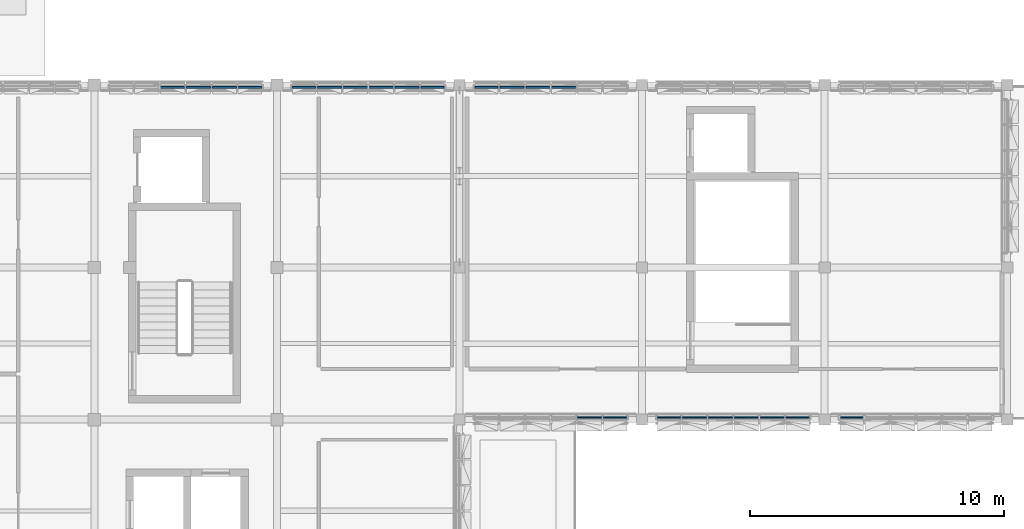
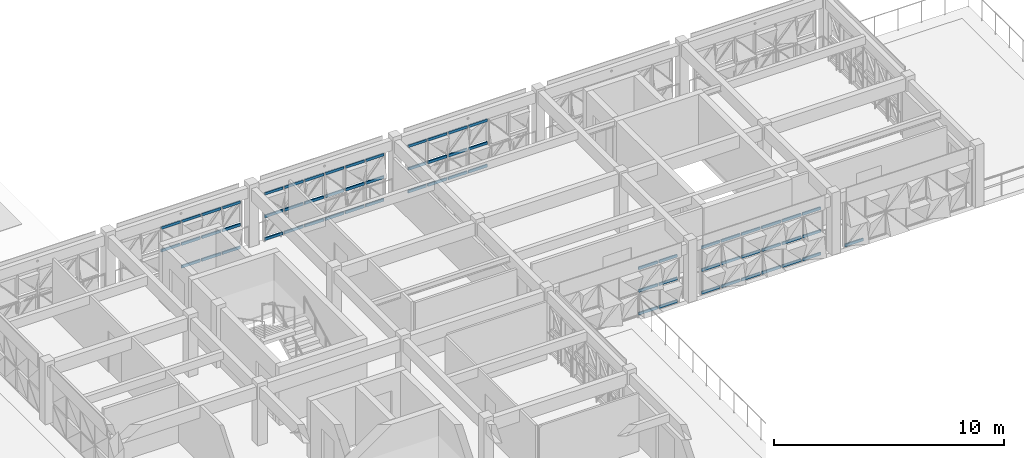
# One storey, part 10 of 35: 66 members, 6 elements without a shape of their own.
"""IFC4 building model written with IfcOpenShell, lengths in metres."""

from ifc_helpers import new_model, si_unit, direction, frame, origin, origin_2d, place, context, subcontext, project, spatial, rectangle, extrude, material, material_profile, profile_set, type_object, element, aggregate, save


model = new_model("IFC4")

# Units and contexts
model_context = context("Model", 3, precision=1e-05, world=origin(), true_north=direction((0.0, 1.0)))
body_context = subcontext(model_context, "Body", "Model", "MODEL_VIEW")
ifc_project = project(units=[si_unit("LENGTHUNIT", "METRE"), si_unit("AREAUNIT", "SQUARE_METRE"), si_unit("VOLUMEUNIT", "CUBIC_METRE"), si_unit("PLANEANGLEUNIT", "RADIAN"), si_unit("MASSUNIT", "GRAM", prefix="KILO")], contexts=[model_context])

# Site, building, storey
site_placement = place(None, origin())
site = spatial("IfcSite", under=ifc_project, at=site_placement, CompositionType="ELEMENT")
building_placement = place(site_placement, origin())
building = spatial("IfcBuilding", under=site, at=building_placement, Name="Alvorim Cloister Faculty of Sciences", CompositionType="ELEMENT")
storey_placement = place(building_placement, frame((0.0, 0.0, 22.949951171875)))
storey = spatial("IfcBuildingStorey", under=building, at=storey_placement, Name="L06", CompositionType="ELEMENT", Elevation=22.949951171875)

# Curtain wall, members
ifc_material_1 = material(Name="Aluminium and Low-E Glass Curtain Wall", Category="aluminium")
curtain_wall_type = type_object("IfcCurtainWallType", Name="CW-TRI-6120x2550", PredefinedType="USERDEFINED", material=ifc_material_1)
curtain_wall_1_placement = place(storey_placement, origin())
curtain_wall_1 = element("IfcCurtainWall", 1, at=curtain_wall_1_placement, inside=storey, type_object=curtain_wall_type, Name="L06 Diagonal Cassette Curtain Wall CW-0246", ObjectType="UNITISED CURTAIN WALL", PredefinedType="USERDEFINED")
ifc_material_2 = material(Name="Aluminium Alloy 6063-T6", Category="aluminium")
ifc_material_profile = material_profile(ifc_material_2, rectangle(XDim=0.06494140625, YDim=0.139892578125, at=origin_2d()), Name="ALU-TRN-65x140")
ifc_profile_set = profile_set([ifc_material_profile], Name="Aluminium Alloy 6063-T6")
member_type = type_object("IfcMemberType", Name="CW-TRN-65x140", PredefinedType="USERDEFINED", material=ifc_profile_set)
member_1_placement = place(storey_placement, frame((17.012451171875, 56.31005859375, 1.275146484375), z_axis=(1.0, 0.0, 0.0), x_axis=(0.0, 1.0, 0.0)))
member_1 = element("IfcMember", 2, at=member_1_placement, type_object=member_type, Name="CW-0246 Transom 3.2", ObjectType="TRANSOM", PredefinedType="USERDEFINED", context=body_context, shape_type="SweptSolid", body=[
    extrude(rectangle(XDim=0.06494140625, YDim=0.139892578125, at=origin_2d()), origin(), (0.0, 0.0, 1.0), 0.955078125),
])
member_2_placement = place(storey_placement, frame((17.012451171875, 56.31005859375, 2.47998046875), z_axis=(1.0, 0.0, 0.0), x_axis=(0.0, 1.0, 0.0)))
member_2 = element("IfcMember", 3, at=member_2_placement, type_object=member_type, Name="CW-0246 Transom 3.3", ObjectType="TRANSOM", PredefinedType="USERDEFINED", context=body_context, shape_type="SweptSolid", body=[
    extrude(rectangle(XDim=0.06494140625, YDim=0.139892578125, at=origin_2d()), origin(), (0.0, 0.0, 1.0), 0.955078125),
])
member_3_placement = place(storey_placement, frame((18.032470703125, 56.31005859375, 0.070068359375), z_axis=(1.0, 0.0, 0.0), x_axis=(0.0, 1.0, 0.0)))
member_3 = element("IfcMember", 4, at=member_3_placement, type_object=member_type, Name="CW-0246 Transom 4.1", ObjectType="TRANSOM", PredefinedType="USERDEFINED", context=body_context, shape_type="SweptSolid", body=[
    extrude(rectangle(XDim=0.06494140625, YDim=0.139892578125, at=origin_2d()), origin(), (0.0, 0.0, 1.0), 0.955078125),
])
member_4_placement = place(storey_placement, frame((18.032470703125, 56.31005859375, 1.275146484375), z_axis=(1.0, 0.0, 0.0), x_axis=(0.0, 1.0, 0.0)))
member_4 = element("IfcMember", 5, at=member_4_placement, type_object=member_type, Name="CW-0246 Transom 4.2", ObjectType="TRANSOM", PredefinedType="USERDEFINED", context=body_context, shape_type="SweptSolid", body=[
    extrude(rectangle(XDim=0.06494140625, YDim=0.139892578125, at=origin_2d()), origin(), (0.0, 0.0, 1.0), 0.955078125),
])
member_5_placement = place(storey_placement, frame((18.032470703125, 56.31005859375, 2.47998046875), z_axis=(1.0, 0.0, 0.0), x_axis=(0.0, 1.0, 0.0)))
member_5 = element("IfcMember", 6, at=member_5_placement, type_object=member_type, Name="CW-0246 Transom 4.3", ObjectType="TRANSOM", PredefinedType="USERDEFINED", context=body_context, shape_type="SweptSolid", body=[
    extrude(rectangle(XDim=0.06494140625, YDim=0.139892578125, at=origin_2d()), origin(), (0.0, 0.0, 1.0), 0.955078125),
])
member_6_placement = place(storey_placement, frame((19.052490234375, 56.31005859375, 0.070068359375), z_axis=(1.0, 0.0, 0.0), x_axis=(0.0, 1.0, 0.0)))
member_6 = element("IfcMember", 7, at=member_6_placement, type_object=member_type, Name="CW-0246 Transom 5.1", ObjectType="TRANSOM", PredefinedType="USERDEFINED", context=body_context, shape_type="SweptSolid", body=[
    extrude(rectangle(XDim=0.06494140625, YDim=0.139892578125, at=origin_2d()), origin(), (0.0, 0.0, 1.0), 0.955078125),
])
member_7_placement = place(storey_placement, frame((19.052490234375, 56.31005859375, 1.275146484375), z_axis=(1.0, 0.0, 0.0), x_axis=(0.0, 1.0, 0.0)))
member_7 = element("IfcMember", 8, at=member_7_placement, type_object=member_type, Name="CW-0246 Transom 5.2", ObjectType="TRANSOM", PredefinedType="USERDEFINED", context=body_context, shape_type="SweptSolid", body=[
    extrude(rectangle(XDim=0.06494140625, YDim=0.139892578125, at=origin_2d()), origin(), (0.0, 0.0, 1.0), 0.955078125),
])
member_8_placement = place(storey_placement, frame((19.052490234375, 56.31005859375, 2.47998046875), z_axis=(1.0, 0.0, 0.0), x_axis=(0.0, 1.0, 0.0)))
member_8 = element("IfcMember", 9, at=member_8_placement, type_object=member_type, Name="CW-0246 Transom 5.3", ObjectType="TRANSOM", PredefinedType="USERDEFINED", context=body_context, shape_type="SweptSolid", body=[
    extrude(rectangle(XDim=0.06494140625, YDim=0.139892578125, at=origin_2d()), origin(), (0.0, 0.0, 1.0), 0.955078125),
])
member_9_placement = place(storey_placement, frame((20.072509765625, 56.31005859375, 0.070068359375), z_axis=(1.0, 0.0, 0.0), x_axis=(0.0, 1.0, 0.0)))
member_9 = element("IfcMember", 10, at=member_9_placement, type_object=member_type, Name="CW-0246 Transom 6.1", ObjectType="TRANSOM", PredefinedType="USERDEFINED", context=body_context, shape_type="SweptSolid", body=[
    extrude(rectangle(XDim=0.06494140625, YDim=0.139892578125, at=origin_2d()), origin(), (0.0, 0.0, 1.0), 0.922607421875),
])
member_10_placement = place(storey_placement, frame((20.072509765625, 56.31005859375, 1.275146484375), z_axis=(1.0, 0.0, 0.0), x_axis=(0.0, 1.0, 0.0)))
member_10 = element("IfcMember", 11, at=member_10_placement, type_object=member_type, Name="CW-0246 Transom 6.2", ObjectType="TRANSOM", PredefinedType="USERDEFINED", context=body_context, shape_type="SweptSolid", body=[
    extrude(rectangle(XDim=0.06494140625, YDim=0.139892578125, at=origin_2d()), origin(), (0.0, 0.0, 1.0), 0.922607421875),
])
member_11_placement = place(storey_placement, frame((20.072509765625, 56.31005859375, 2.47998046875), z_axis=(1.0, 0.0, 0.0), x_axis=(0.0, 1.0, 0.0)))
member_11 = element("IfcMember", 12, at=member_11_placement, type_object=member_type, Name="CW-0246 Transom 6.3", ObjectType="TRANSOM", PredefinedType="USERDEFINED", context=body_context, shape_type="SweptSolid", body=[
    extrude(rectangle(XDim=0.06494140625, YDim=0.139892578125, at=origin_2d()), origin(), (0.0, 0.0, 1.0), 0.922607421875),
])
aggregate(curtain_wall_1, [member_1, member_2, member_3, member_4, member_5, member_6, member_7, member_8, member_9, member_10, member_11])

curtain_wall_2_placement = place(storey_placement, origin())
curtain_wall_2 = element("IfcCurtainWall", 13, at=curtain_wall_2_placement, inside=storey, type_object=curtain_wall_type, Name="L06 Diagonal Cassette Curtain Wall CW-0247", ObjectType="UNITISED CURTAIN WALL", PredefinedType="USERDEFINED")
member_12_placement = place(storey_placement, frame((22.205078125, 56.31005859375, 0.070068359375), z_axis=(1.0, 0.0, 0.0), x_axis=(0.0, 1.0, 0.0)))
member_12 = element("IfcMember", 14, at=member_12_placement, type_object=member_type, Name="CW-0247 Transom 1.1", ObjectType="TRANSOM", PredefinedType="USERDEFINED", context=body_context, shape_type="SweptSolid", body=[
    extrude(rectangle(XDim=0.06494140625, YDim=0.139892578125, at=origin_2d()), origin(), (0.0, 0.0, 1.0), 0.92236328125),
])
member_13_placement = place(storey_placement, frame((22.205078125, 56.31005859375, 1.275146484375), z_axis=(1.0, 0.0, 0.0), x_axis=(0.0, 1.0, 0.0)))
member_13 = element("IfcMember", 15, at=member_13_placement, type_object=member_type, Name="CW-0247 Transom 1.2", ObjectType="TRANSOM", PredefinedType="USERDEFINED", context=body_context, shape_type="SweptSolid", body=[
    extrude(rectangle(XDim=0.06494140625, YDim=0.139892578125, at=origin_2d()), origin(), (0.0, 0.0, 1.0), 0.92236328125),
])
member_14_placement = place(storey_placement, frame((22.205078125, 56.31005859375, 2.47998046875), z_axis=(1.0, 0.0, 0.0), x_axis=(0.0, 1.0, 0.0)))
member_14 = element("IfcMember", 16, at=member_14_placement, type_object=member_type, Name="CW-0247 Transom 1.3", ObjectType="TRANSOM", PredefinedType="USERDEFINED", context=body_context, shape_type="SweptSolid", body=[
    extrude(rectangle(XDim=0.06494140625, YDim=0.139892578125, at=origin_2d()), origin(), (0.0, 0.0, 1.0), 0.92236328125),
])
member_15_placement = place(storey_placement, frame((23.1923828125, 56.31005859375, 0.070068359375), z_axis=(1.0, 0.0, 0.0), x_axis=(0.0, 1.0, 0.0)))
member_15 = element("IfcMember", 17, at=member_15_placement, type_object=member_type, Name="CW-0247 Transom 2.1", ObjectType="TRANSOM", PredefinedType="USERDEFINED", context=body_context, shape_type="SweptSolid", body=[
    extrude(rectangle(XDim=0.06494140625, YDim=0.139892578125, at=origin_2d()), origin(), (0.0, 0.0, 1.0), 0.955078125),
])
member_16_placement = place(storey_placement, frame((23.1923828125, 56.31005859375, 1.275146484375), z_axis=(1.0, 0.0, 0.0), x_axis=(0.0, 1.0, 0.0)))
member_16 = element("IfcMember", 18, at=member_16_placement, type_object=member_type, Name="CW-0247 Transom 2.2", ObjectType="TRANSOM", PredefinedType="USERDEFINED", context=body_context, shape_type="SweptSolid", body=[
    extrude(rectangle(XDim=0.06494140625, YDim=0.139892578125, at=origin_2d()), origin(), (0.0, 0.0, 1.0), 0.955078125),
])
member_17_placement = place(storey_placement, frame((23.1923828125, 56.31005859375, 2.47998046875), z_axis=(1.0, 0.0, 0.0), x_axis=(0.0, 1.0, 0.0)))
member_17 = element("IfcMember", 19, at=member_17_placement, type_object=member_type, Name="CW-0247 Transom 2.3", ObjectType="TRANSOM", PredefinedType="USERDEFINED", context=body_context, shape_type="SweptSolid", body=[
    extrude(rectangle(XDim=0.06494140625, YDim=0.139892578125, at=origin_2d()), origin(), (0.0, 0.0, 1.0), 0.955078125),
])
member_18_placement = place(storey_placement, frame((24.21240234375, 56.31005859375, 0.070068359375), z_axis=(1.0, 0.0, 0.0), x_axis=(0.0, 1.0, 0.0)))
member_18 = element("IfcMember", 20, at=member_18_placement, type_object=member_type, Name="CW-0247 Transom 3.1", ObjectType="TRANSOM", PredefinedType="USERDEFINED", context=body_context, shape_type="SweptSolid", body=[
    extrude(rectangle(XDim=0.06494140625, YDim=0.139892578125, at=origin_2d()), origin(), (0.0, 0.0, 1.0), 0.955078125),
])
member_19_placement = place(storey_placement, frame((24.21240234375, 56.31005859375, 1.275146484375), z_axis=(1.0, 0.0, 0.0), x_axis=(0.0, 1.0, 0.0)))
member_19 = element("IfcMember", 21, at=member_19_placement, type_object=member_type, Name="CW-0247 Transom 3.2", ObjectType="TRANSOM", PredefinedType="USERDEFINED", context=body_context, shape_type="SweptSolid", body=[
    extrude(rectangle(XDim=0.06494140625, YDim=0.139892578125, at=origin_2d()), origin(), (0.0, 0.0, 1.0), 0.955078125),
])
member_20_placement = place(storey_placement, frame((24.21240234375, 56.31005859375, 2.47998046875), z_axis=(1.0, 0.0, 0.0), x_axis=(0.0, 1.0, 0.0)))
member_20 = element("IfcMember", 22, at=member_20_placement, type_object=member_type, Name="CW-0247 Transom 3.3", ObjectType="TRANSOM", PredefinedType="USERDEFINED", context=body_context, shape_type="SweptSolid", body=[
    extrude(rectangle(XDim=0.06494140625, YDim=0.139892578125, at=origin_2d()), origin(), (0.0, 0.0, 1.0), 0.955078125),
])
member_21_placement = place(storey_placement, frame((25.232421875, 56.31005859375, 0.070068359375), z_axis=(1.0, 0.0, 0.0), x_axis=(0.0, 1.0, 0.0)))
member_21 = element("IfcMember", 23, at=member_21_placement, type_object=member_type, Name="CW-0247 Transom 4.1", ObjectType="TRANSOM", PredefinedType="USERDEFINED", context=body_context, shape_type="SweptSolid", body=[
    extrude(rectangle(XDim=0.06494140625, YDim=0.139892578125, at=origin_2d()), origin(), (0.0, 0.0, 1.0), 0.955078125),
])
member_22_placement = place(storey_placement, frame((25.232421875, 56.31005859375, 1.275146484375), z_axis=(1.0, 0.0, 0.0), x_axis=(0.0, 1.0, 0.0)))
member_22 = element("IfcMember", 24, at=member_22_placement, type_object=member_type, Name="CW-0247 Transom 4.2", ObjectType="TRANSOM", PredefinedType="USERDEFINED", context=body_context, shape_type="SweptSolid", body=[
    extrude(rectangle(XDim=0.06494140625, YDim=0.139892578125, at=origin_2d()), origin(), (0.0, 0.0, 1.0), 0.955078125),
])
member_23_placement = place(storey_placement, frame((25.232421875, 56.31005859375, 2.47998046875), z_axis=(1.0, 0.0, 0.0), x_axis=(0.0, 1.0, 0.0)))
member_23 = element("IfcMember", 25, at=member_23_placement, type_object=member_type, Name="CW-0247 Transom 4.3", ObjectType="TRANSOM", PredefinedType="USERDEFINED", context=body_context, shape_type="SweptSolid", body=[
    extrude(rectangle(XDim=0.06494140625, YDim=0.139892578125, at=origin_2d()), origin(), (0.0, 0.0, 1.0), 0.955078125),
])
member_24_placement = place(storey_placement, frame((26.25244140625, 56.31005859375, 0.070068359375), z_axis=(1.0, 0.0, 0.0), x_axis=(0.0, 1.0, 0.0)))
member_24 = element("IfcMember", 26, at=member_24_placement, type_object=member_type, Name="CW-0247 Transom 5.1", ObjectType="TRANSOM", PredefinedType="USERDEFINED", context=body_context, shape_type="SweptSolid", body=[
    extrude(rectangle(XDim=0.06494140625, YDim=0.139892578125, at=origin_2d()), origin(), (0.0, 0.0, 1.0), 0.955078125),
])
member_25_placement = place(storey_placement, frame((26.25244140625, 56.31005859375, 1.275146484375), z_axis=(1.0, 0.0, 0.0), x_axis=(0.0, 1.0, 0.0)))
member_25 = element("IfcMember", 27, at=member_25_placement, type_object=member_type, Name="CW-0247 Transom 5.2", ObjectType="TRANSOM", PredefinedType="USERDEFINED", context=body_context, shape_type="SweptSolid", body=[
    extrude(rectangle(XDim=0.06494140625, YDim=0.139892578125, at=origin_2d()), origin(), (0.0, 0.0, 1.0), 0.955078125),
])
member_26_placement = place(storey_placement, frame((26.25244140625, 56.31005859375, 2.47998046875), z_axis=(1.0, 0.0, 0.0), x_axis=(0.0, 1.0, 0.0)))
member_26 = element("IfcMember", 28, at=member_26_placement, type_object=member_type, Name="CW-0247 Transom 5.3", ObjectType="TRANSOM", PredefinedType="USERDEFINED", context=body_context, shape_type="SweptSolid", body=[
    extrude(rectangle(XDim=0.06494140625, YDim=0.139892578125, at=origin_2d()), origin(), (0.0, 0.0, 1.0), 0.955078125),
])
member_27_placement = place(storey_placement, frame((27.2724609375, 56.31005859375, 0.070068359375), z_axis=(1.0, 0.0, 0.0), x_axis=(0.0, 1.0, 0.0)))
member_27 = element("IfcMember", 29, at=member_27_placement, type_object=member_type, Name="CW-0247 Transom 6.1", ObjectType="TRANSOM", PredefinedType="USERDEFINED", context=body_context, shape_type="SweptSolid", body=[
    extrude(rectangle(XDim=0.06494140625, YDim=0.139892578125, at=origin_2d()), origin(), (0.0, 0.0, 1.0), 0.922607421875),
])
member_28_placement = place(storey_placement, frame((27.2724609375, 56.31005859375, 1.275146484375), z_axis=(1.0, 0.0, 0.0), x_axis=(0.0, 1.0, 0.0)))
member_28 = element("IfcMember", 30, at=member_28_placement, type_object=member_type, Name="CW-0247 Transom 6.2", ObjectType="TRANSOM", PredefinedType="USERDEFINED", context=body_context, shape_type="SweptSolid", body=[
    extrude(rectangle(XDim=0.06494140625, YDim=0.139892578125, at=origin_2d()), origin(), (0.0, 0.0, 1.0), 0.922607421875),
])
member_29_placement = place(storey_placement, frame((27.2724609375, 56.31005859375, 2.47998046875), z_axis=(1.0, 0.0, 0.0), x_axis=(0.0, 1.0, 0.0)))
member_29 = element("IfcMember", 31, at=member_29_placement, type_object=member_type, Name="CW-0247 Transom 6.3", ObjectType="TRANSOM", PredefinedType="USERDEFINED", context=body_context, shape_type="SweptSolid", body=[
    extrude(rectangle(XDim=0.06494140625, YDim=0.139892578125, at=origin_2d()), origin(), (0.0, 0.0, 1.0), 0.922607421875),
])
aggregate(curtain_wall_2, [member_12, member_13, member_14, member_15, member_16, member_17, member_18, member_19, member_20, member_21, member_22, member_23, member_24, member_25, member_26, member_27, member_28, member_29])

curtain_wall_3_placement = place(storey_placement, origin())
curtain_wall_3 = element("IfcCurtainWall", 32, at=curtain_wall_3_placement, inside=storey, type_object=curtain_wall_type, Name="L06 Diagonal Cassette Curtain Wall CW-0248", ObjectType="UNITISED CURTAIN WALL", PredefinedType="USERDEFINED")
member_30_placement = place(storey_placement, frame((29.405029296875, 56.31005859375, 0.070068359375), z_axis=(1.0, 0.0, 0.0), x_axis=(0.0, 1.0, 0.0)))
member_30 = element("IfcMember", 33, at=member_30_placement, type_object=member_type, Name="CW-0248 Transom 1.1", ObjectType="TRANSOM", PredefinedType="USERDEFINED", context=body_context, shape_type="SweptSolid", body=[
    extrude(rectangle(XDim=0.06494140625, YDim=0.139892578125, at=origin_2d()), origin(), (0.0, 0.0, 1.0), 0.92236328125),
])
member_31_placement = place(storey_placement, frame((29.405029296875, 56.31005859375, 1.275146484375), z_axis=(1.0, 0.0, 0.0), x_axis=(0.0, 1.0, 0.0)))
member_31 = element("IfcMember", 34, at=member_31_placement, type_object=member_type, Name="CW-0248 Transom 1.2", ObjectType="TRANSOM", PredefinedType="USERDEFINED", context=body_context, shape_type="SweptSolid", body=[
    extrude(rectangle(XDim=0.06494140625, YDim=0.139892578125, at=origin_2d()), origin(), (0.0, 0.0, 1.0), 0.92236328125),
])
member_32_placement = place(storey_placement, frame((29.405029296875, 56.31005859375, 2.47998046875), z_axis=(1.0, 0.0, 0.0), x_axis=(0.0, 1.0, 0.0)))
member_32 = element("IfcMember", 35, at=member_32_placement, type_object=member_type, Name="CW-0248 Transom 1.3", ObjectType="TRANSOM", PredefinedType="USERDEFINED", context=body_context, shape_type="SweptSolid", body=[
    extrude(rectangle(XDim=0.06494140625, YDim=0.139892578125, at=origin_2d()), origin(), (0.0, 0.0, 1.0), 0.92236328125),
])
member_33_placement = place(storey_placement, frame((30.392578125, 56.31005859375, 0.070068359375), z_axis=(1.0, 0.0, 0.0), x_axis=(0.0, 1.0, 0.0)))
member_33 = element("IfcMember", 36, at=member_33_placement, type_object=member_type, Name="CW-0248 Transom 2.1", ObjectType="TRANSOM", PredefinedType="USERDEFINED", context=body_context, shape_type="SweptSolid", body=[
    extrude(rectangle(XDim=0.06494140625, YDim=0.139892578125, at=origin_2d()), origin(), (0.0, 0.0, 1.0), 0.954833984375),
])
member_34_placement = place(storey_placement, frame((30.392578125, 56.31005859375, 1.275146484375), z_axis=(1.0, 0.0, 0.0), x_axis=(0.0, 1.0, 0.0)))
member_34 = element("IfcMember", 37, at=member_34_placement, type_object=member_type, Name="CW-0248 Transom 2.2", ObjectType="TRANSOM", PredefinedType="USERDEFINED", context=body_context, shape_type="SweptSolid", body=[
    extrude(rectangle(XDim=0.06494140625, YDim=0.139892578125, at=origin_2d()), origin(), (0.0, 0.0, 1.0), 0.954833984375),
])
member_35_placement = place(storey_placement, frame((30.392578125, 56.31005859375, 2.47998046875), z_axis=(1.0, 0.0, 0.0), x_axis=(0.0, 1.0, 0.0)))
member_35 = element("IfcMember", 38, at=member_35_placement, type_object=member_type, Name="CW-0248 Transom 2.3", ObjectType="TRANSOM", PredefinedType="USERDEFINED", context=body_context, shape_type="SweptSolid", body=[
    extrude(rectangle(XDim=0.06494140625, YDim=0.139892578125, at=origin_2d()), origin(), (0.0, 0.0, 1.0), 0.954833984375),
])
member_36_placement = place(storey_placement, frame((31.41259765625, 56.31005859375, 0.070068359375), z_axis=(1.0, 0.0, 0.0), x_axis=(0.0, 1.0, 0.0)))
member_36 = element("IfcMember", 39, at=member_36_placement, type_object=member_type, Name="CW-0248 Transom 3.1", ObjectType="TRANSOM", PredefinedType="USERDEFINED", context=body_context, shape_type="SweptSolid", body=[
    extrude(rectangle(XDim=0.06494140625, YDim=0.139892578125, at=origin_2d()), origin(), (0.0, 0.0, 1.0), 0.954833984375),
])
member_37_placement = place(storey_placement, frame((31.41259765625, 56.31005859375, 1.275146484375), z_axis=(1.0, 0.0, 0.0), x_axis=(0.0, 1.0, 0.0)))
member_37 = element("IfcMember", 40, at=member_37_placement, type_object=member_type, Name="CW-0248 Transom 3.2", ObjectType="TRANSOM", PredefinedType="USERDEFINED", context=body_context, shape_type="SweptSolid", body=[
    extrude(rectangle(XDim=0.06494140625, YDim=0.139892578125, at=origin_2d()), origin(), (0.0, 0.0, 1.0), 0.954833984375),
])
member_38_placement = place(storey_placement, frame((31.41259765625, 56.31005859375, 2.47998046875), z_axis=(1.0, 0.0, 0.0), x_axis=(0.0, 1.0, 0.0)))
member_38 = element("IfcMember", 41, at=member_38_placement, type_object=member_type, Name="CW-0248 Transom 3.3", ObjectType="TRANSOM", PredefinedType="USERDEFINED", context=body_context, shape_type="SweptSolid", body=[
    extrude(rectangle(XDim=0.06494140625, YDim=0.139892578125, at=origin_2d()), origin(), (0.0, 0.0, 1.0), 0.954833984375),
])
member_39_placement = place(storey_placement, frame((32.4326171875, 56.31005859375, 0.070068359375), z_axis=(1.0, 0.0, 0.0), x_axis=(0.0, 1.0, 0.0)))
member_39 = element("IfcMember", 42, at=member_39_placement, type_object=member_type, Name="CW-0248 Transom 4.1", ObjectType="TRANSOM", PredefinedType="USERDEFINED", context=body_context, shape_type="SweptSolid", body=[
    extrude(rectangle(XDim=0.06494140625, YDim=0.139892578125, at=origin_2d()), origin(), (0.0, 0.0, 1.0), 0.954833984375),
])
member_40_placement = place(storey_placement, frame((32.4326171875, 56.31005859375, 1.275146484375), z_axis=(1.0, 0.0, 0.0), x_axis=(0.0, 1.0, 0.0)))
member_40 = element("IfcMember", 43, at=member_40_placement, type_object=member_type, Name="CW-0248 Transom 4.2", ObjectType="TRANSOM", PredefinedType="USERDEFINED", context=body_context, shape_type="SweptSolid", body=[
    extrude(rectangle(XDim=0.06494140625, YDim=0.139892578125, at=origin_2d()), origin(), (0.0, 0.0, 1.0), 0.954833984375),
])
member_41_placement = place(storey_placement, frame((32.4326171875, 56.31005859375, 2.47998046875), z_axis=(1.0, 0.0, 0.0), x_axis=(0.0, 1.0, 0.0)))
member_41 = element("IfcMember", 44, at=member_41_placement, type_object=member_type, Name="CW-0248 Transom 4.3", ObjectType="TRANSOM", PredefinedType="USERDEFINED", context=body_context, shape_type="SweptSolid", body=[
    extrude(rectangle(XDim=0.06494140625, YDim=0.139892578125, at=origin_2d()), origin(), (0.0, 0.0, 1.0), 0.954833984375),
])
aggregate(curtain_wall_3, [member_30, member_31, member_32, member_33, member_34, member_35, member_36, member_37, member_38, member_39, member_40, member_41])

# Curtain wall, member
curtain_wall_4_placement = place(storey_placement, origin())
curtain_wall_4 = element("IfcCurtainWall", 45, at=curtain_wall_4_placement, inside=storey, type_object=curtain_wall_type, Name="L06 Diagonal Cassette Curtain Wall CW-0252", ObjectType="UNITISED CURTAIN WALL", PredefinedType="USERDEFINED")
member_42_placement = place(storey_placement, frame((43.804931640625, 43.2900390625, 0.070068359375), z_axis=(1.0, 0.0, 0.0), x_axis=(0.0, 1.0, 0.0)))
member_42 = element("IfcMember", 46, at=member_42_placement, type_object=member_type, Name="CW-0252 Transom 1.1", ObjectType="TRANSOM", PredefinedType="USERDEFINED", context=body_context, shape_type="SweptSolid", body=[
    extrude(rectangle(XDim=0.06494140625, YDim=0.139892578125, at=origin_2d()), origin(), (0.0, 0.0, 1.0), 0.922607421875),
])
aggregate(curtain_wall_4, [member_42])

# Curtain wall, members
curtain_wall_5_placement = place(storey_placement, origin())
curtain_wall_5 = element("IfcCurtainWall", 47, at=curtain_wall_5_placement, inside=storey, type_object=curtain_wall_type, Name="L06 Diagonal Cassette Curtain Wall CW-0253", ObjectType="UNITISED CURTAIN WALL", PredefinedType="USERDEFINED")
member_43_placement = place(storey_placement, frame((36.60498046875, 43.2900390625, 0.070068359375), z_axis=(1.0, 0.0, 0.0), x_axis=(0.0, 1.0, 0.0)))
member_43 = element("IfcMember", 48, at=member_43_placement, type_object=member_type, Name="CW-0253 Transom 1.1", ObjectType="TRANSOM", PredefinedType="USERDEFINED", context=body_context, shape_type="SweptSolid", body=[
    extrude(rectangle(XDim=0.06494140625, YDim=0.139892578125, at=origin_2d()), origin(), (0.0, 0.0, 1.0), 0.922607421875),
])
member_44_placement = place(storey_placement, frame((36.60498046875, 43.2900390625, 1.275146484375), z_axis=(1.0, 0.0, 0.0), x_axis=(0.0, 1.0, 0.0)))
member_44 = element("IfcMember", 49, at=member_44_placement, type_object=member_type, Name="CW-0253 Transom 1.2", ObjectType="TRANSOM", PredefinedType="USERDEFINED", context=body_context, shape_type="SweptSolid", body=[
    extrude(rectangle(XDim=0.06494140625, YDim=0.139892578125, at=origin_2d()), origin(), (0.0, 0.0, 1.0), 0.922607421875),
])
member_45_placement = place(storey_placement, frame((36.60498046875, 43.2900390625, 2.47998046875), z_axis=(1.0, 0.0, 0.0), x_axis=(0.0, 1.0, 0.0)))
member_45 = element("IfcMember", 50, at=member_45_placement, type_object=member_type, Name="CW-0253 Transom 1.3", ObjectType="TRANSOM", PredefinedType="USERDEFINED", context=body_context, shape_type="SweptSolid", body=[
    extrude(rectangle(XDim=0.06494140625, YDim=0.139892578125, at=origin_2d()), origin(), (0.0, 0.0, 1.0), 0.922607421875),
])
member_46_placement = place(storey_placement, frame((37.592529296875, 43.2900390625, 0.070068359375), z_axis=(1.0, 0.0, 0.0), x_axis=(0.0, 1.0, 0.0)))
member_46 = element("IfcMember", 51, at=member_46_placement, type_object=member_type, Name="CW-0253 Transom 2.1", ObjectType="TRANSOM", PredefinedType="USERDEFINED", context=body_context, shape_type="SweptSolid", body=[
    extrude(rectangle(XDim=0.06494140625, YDim=0.139892578125, at=origin_2d()), origin(), (0.0, 0.0, 1.0), 0.955078125),
])
member_47_placement = place(storey_placement, frame((37.592529296875, 43.2900390625, 1.275146484375), z_axis=(1.0, 0.0, 0.0), x_axis=(0.0, 1.0, 0.0)))
member_47 = element("IfcMember", 52, at=member_47_placement, type_object=member_type, Name="CW-0253 Transom 2.2", ObjectType="TRANSOM", PredefinedType="USERDEFINED", context=body_context, shape_type="SweptSolid", body=[
    extrude(rectangle(XDim=0.06494140625, YDim=0.139892578125, at=origin_2d()), origin(), (0.0, 0.0, 1.0), 0.955078125),
])
member_48_placement = place(storey_placement, frame((37.592529296875, 43.2900390625, 2.47998046875), z_axis=(1.0, 0.0, 0.0), x_axis=(0.0, 1.0, 0.0)))
member_48 = element("IfcMember", 53, at=member_48_placement, type_object=member_type, Name="CW-0253 Transom 2.3", ObjectType="TRANSOM", PredefinedType="USERDEFINED", context=body_context, shape_type="SweptSolid", body=[
    extrude(rectangle(XDim=0.06494140625, YDim=0.139892578125, at=origin_2d()), origin(), (0.0, 0.0, 1.0), 0.955078125),
])
member_49_placement = place(storey_placement, frame((38.612548828125, 43.2900390625, 0.070068359375), z_axis=(1.0, 0.0, 0.0), x_axis=(0.0, 1.0, 0.0)))
member_49 = element("IfcMember", 54, at=member_49_placement, type_object=member_type, Name="CW-0253 Transom 3.1", ObjectType="TRANSOM", PredefinedType="USERDEFINED", context=body_context, shape_type="SweptSolid", body=[
    extrude(rectangle(XDim=0.06494140625, YDim=0.139892578125, at=origin_2d()), origin(), (0.0, 0.0, 1.0), 0.954833984375),
])
member_50_placement = place(storey_placement, frame((38.612548828125, 43.2900390625, 1.275146484375), z_axis=(1.0, 0.0, 0.0), x_axis=(0.0, 1.0, 0.0)))
member_50 = element("IfcMember", 55, at=member_50_placement, type_object=member_type, Name="CW-0253 Transom 3.2", ObjectType="TRANSOM", PredefinedType="USERDEFINED", context=body_context, shape_type="SweptSolid", body=[
    extrude(rectangle(XDim=0.06494140625, YDim=0.139892578125, at=origin_2d()), origin(), (0.0, 0.0, 1.0), 0.954833984375),
])
member_51_placement = place(storey_placement, frame((38.612548828125, 43.2900390625, 2.47998046875), z_axis=(1.0, 0.0, 0.0), x_axis=(0.0, 1.0, 0.0)))
member_51 = element("IfcMember", 56, at=member_51_placement, type_object=member_type, Name="CW-0253 Transom 3.3", ObjectType="TRANSOM", PredefinedType="USERDEFINED", context=body_context, shape_type="SweptSolid", body=[
    extrude(rectangle(XDim=0.06494140625, YDim=0.139892578125, at=origin_2d()), origin(), (0.0, 0.0, 1.0), 0.954833984375),
])
member_52_placement = place(storey_placement, frame((39.632568359375, 43.2900390625, 0.070068359375), z_axis=(1.0, 0.0, 0.0), x_axis=(0.0, 1.0, 0.0)))
member_52 = element("IfcMember", 57, at=member_52_placement, type_object=member_type, Name="CW-0253 Transom 4.1", ObjectType="TRANSOM", PredefinedType="USERDEFINED", context=body_context, shape_type="SweptSolid", body=[
    extrude(rectangle(XDim=0.06494140625, YDim=0.139892578125, at=origin_2d()), origin(), (0.0, 0.0, 1.0), 0.954833984375),
])
member_53_placement = place(storey_placement, frame((39.632568359375, 43.2900390625, 1.275146484375), z_axis=(1.0, 0.0, 0.0), x_axis=(0.0, 1.0, 0.0)))
member_53 = element("IfcMember", 58, at=member_53_placement, type_object=member_type, Name="CW-0253 Transom 4.2", ObjectType="TRANSOM", PredefinedType="USERDEFINED", context=body_context, shape_type="SweptSolid", body=[
    extrude(rectangle(XDim=0.06494140625, YDim=0.139892578125, at=origin_2d()), origin(), (0.0, 0.0, 1.0), 0.954833984375),
])
member_54_placement = place(storey_placement, frame((39.632568359375, 43.2900390625, 2.47998046875), z_axis=(1.0, 0.0, 0.0), x_axis=(0.0, 1.0, 0.0)))
member_54 = element("IfcMember", 59, at=member_54_placement, type_object=member_type, Name="CW-0253 Transom 4.3", ObjectType="TRANSOM", PredefinedType="USERDEFINED", context=body_context, shape_type="SweptSolid", body=[
    extrude(rectangle(XDim=0.06494140625, YDim=0.139892578125, at=origin_2d()), origin(), (0.0, 0.0, 1.0), 0.954833984375),
])
member_55_placement = place(storey_placement, frame((40.652587890625, 43.2900390625, 0.070068359375), z_axis=(1.0, 0.0, 0.0), x_axis=(0.0, 1.0, 0.0)))
member_55 = element("IfcMember", 60, at=member_55_placement, type_object=member_type, Name="CW-0253 Transom 5.1", ObjectType="TRANSOM", PredefinedType="USERDEFINED", context=body_context, shape_type="SweptSolid", body=[
    extrude(rectangle(XDim=0.06494140625, YDim=0.139892578125, at=origin_2d()), origin(), (0.0, 0.0, 1.0), 0.954833984375),
])
member_56_placement = place(storey_placement, frame((40.652587890625, 43.2900390625, 1.275146484375), z_axis=(1.0, 0.0, 0.0), x_axis=(0.0, 1.0, 0.0)))
member_56 = element("IfcMember", 61, at=member_56_placement, type_object=member_type, Name="CW-0253 Transom 5.2", ObjectType="TRANSOM", PredefinedType="USERDEFINED", context=body_context, shape_type="SweptSolid", body=[
    extrude(rectangle(XDim=0.06494140625, YDim=0.139892578125, at=origin_2d()), origin(), (0.0, 0.0, 1.0), 0.954833984375),
])
member_57_placement = place(storey_placement, frame((40.652587890625, 43.2900390625, 2.47998046875), z_axis=(1.0, 0.0, 0.0), x_axis=(0.0, 1.0, 0.0)))
member_57 = element("IfcMember", 62, at=member_57_placement, type_object=member_type, Name="CW-0253 Transom 5.3", ObjectType="TRANSOM", PredefinedType="USERDEFINED", context=body_context, shape_type="SweptSolid", body=[
    extrude(rectangle(XDim=0.06494140625, YDim=0.139892578125, at=origin_2d()), origin(), (0.0, 0.0, 1.0), 0.954833984375),
])
member_58_placement = place(storey_placement, frame((41.672607421875, 43.2900390625, 0.070068359375), z_axis=(1.0, 0.0, 0.0), x_axis=(0.0, 1.0, 0.0)))
member_58 = element("IfcMember", 63, at=member_58_placement, type_object=member_type, Name="CW-0253 Transom 6.1", ObjectType="TRANSOM", PredefinedType="USERDEFINED", context=body_context, shape_type="SweptSolid", body=[
    extrude(rectangle(XDim=0.06494140625, YDim=0.139892578125, at=origin_2d()), origin(), (0.0, 0.0, 1.0), 0.92236328125),
])
member_59_placement = place(storey_placement, frame((41.672607421875, 43.2900390625, 1.275146484375), z_axis=(1.0, 0.0, 0.0), x_axis=(0.0, 1.0, 0.0)))
member_59 = element("IfcMember", 64, at=member_59_placement, type_object=member_type, Name="CW-0253 Transom 6.2", ObjectType="TRANSOM", PredefinedType="USERDEFINED", context=body_context, shape_type="SweptSolid", body=[
    extrude(rectangle(XDim=0.06494140625, YDim=0.139892578125, at=origin_2d()), origin(), (0.0, 0.0, 1.0), 0.92236328125),
])
member_60_placement = place(storey_placement, frame((41.672607421875, 43.2900390625, 2.47998046875), z_axis=(1.0, 0.0, 0.0), x_axis=(0.0, 1.0, 0.0)))
member_60 = element("IfcMember", 65, at=member_60_placement, type_object=member_type, Name="CW-0253 Transom 6.3", ObjectType="TRANSOM", PredefinedType="USERDEFINED", context=body_context, shape_type="SweptSolid", body=[
    extrude(rectangle(XDim=0.06494140625, YDim=0.139892578125, at=origin_2d()), origin(), (0.0, 0.0, 1.0), 0.92236328125),
])
aggregate(curtain_wall_5, [member_43, member_44, member_45, member_46, member_47, member_48, member_49, member_50, member_51, member_52, member_53, member_54, member_55, member_56, member_57, member_58, member_59, member_60])

curtain_wall_6_placement = place(storey_placement, origin())
curtain_wall_6 = element("IfcCurtainWall", 66, at=curtain_wall_6_placement, inside=storey, type_object=curtain_wall_type, Name="L06 Diagonal Cassette Curtain Wall CW-0254", ObjectType="UNITISED CURTAIN WALL", PredefinedType="USERDEFINED")
member_61_placement = place(storey_placement, frame((33.452392578125, 43.2900390625, 0.070068359375), z_axis=(1.0, 0.0, 0.0), x_axis=(0.0, 1.0, 0.0)))
member_61 = element("IfcMember", 67, at=member_61_placement, type_object=member_type, Name="CW-0254 Transom 5.1", ObjectType="TRANSOM", PredefinedType="USERDEFINED", context=body_context, shape_type="SweptSolid", body=[
    extrude(rectangle(XDim=0.06494140625, YDim=0.139892578125, at=origin_2d()), origin(), (0.0, 0.0, 1.0), 0.955078125),
])
member_62_placement = place(storey_placement, frame((33.452392578125, 43.2900390625, 1.275146484375), z_axis=(1.0, 0.0, 0.0), x_axis=(0.0, 1.0, 0.0)))
member_62 = element("IfcMember", 68, at=member_62_placement, type_object=member_type, Name="CW-0254 Transom 5.2", ObjectType="TRANSOM", PredefinedType="USERDEFINED", context=body_context, shape_type="SweptSolid", body=[
    extrude(rectangle(XDim=0.06494140625, YDim=0.139892578125, at=origin_2d()), origin(), (0.0, 0.0, 1.0), 0.955078125),
])
member_63_placement = place(storey_placement, frame((33.452392578125, 43.2900390625, 2.47998046875), z_axis=(1.0, 0.0, 0.0), x_axis=(0.0, 1.0, 0.0)))
member_63 = element("IfcMember", 69, at=member_63_placement, type_object=member_type, Name="CW-0254 Transom 5.3", ObjectType="TRANSOM", PredefinedType="USERDEFINED", context=body_context, shape_type="SweptSolid", body=[
    extrude(rectangle(XDim=0.06494140625, YDim=0.139892578125, at=origin_2d()), origin(), (0.0, 0.0, 1.0), 0.955078125),
])
member_64_placement = place(storey_placement, frame((34.472412109375, 43.2900390625, 0.070068359375), z_axis=(1.0, 0.0, 0.0), x_axis=(0.0, 1.0, 0.0)))
member_64 = element("IfcMember", 70, at=member_64_placement, type_object=member_type, Name="CW-0254 Transom 6.1", ObjectType="TRANSOM", PredefinedType="USERDEFINED", context=body_context, shape_type="SweptSolid", body=[
    extrude(rectangle(XDim=0.06494140625, YDim=0.139892578125, at=origin_2d()), origin(), (0.0, 0.0, 1.0), 0.922607421875),
])
member_65_placement = place(storey_placement, frame((34.472412109375, 43.2900390625, 1.275146484375), z_axis=(1.0, 0.0, 0.0), x_axis=(0.0, 1.0, 0.0)))
member_65 = element("IfcMember", 71, at=member_65_placement, type_object=member_type, Name="CW-0254 Transom 6.2", ObjectType="TRANSOM", PredefinedType="USERDEFINED", context=body_context, shape_type="SweptSolid", body=[
    extrude(rectangle(XDim=0.06494140625, YDim=0.139892578125, at=origin_2d()), origin(), (0.0, 0.0, 1.0), 0.922607421875),
])
member_66_placement = place(storey_placement, frame((34.472412109375, 43.2900390625, 2.47998046875), z_axis=(1.0, 0.0, 0.0), x_axis=(0.0, 1.0, 0.0)))
member_66 = element("IfcMember", 72, at=member_66_placement, type_object=member_type, Name="CW-0254 Transom 6.3", ObjectType="TRANSOM", PredefinedType="USERDEFINED", context=body_context, shape_type="SweptSolid", body=[
    extrude(rectangle(XDim=0.06494140625, YDim=0.139892578125, at=origin_2d()), origin(), (0.0, 0.0, 1.0), 0.922607421875),
])
aggregate(curtain_wall_6, [member_61, member_62, member_63, member_64, member_65, member_66])

save(model, "model.ifc")
